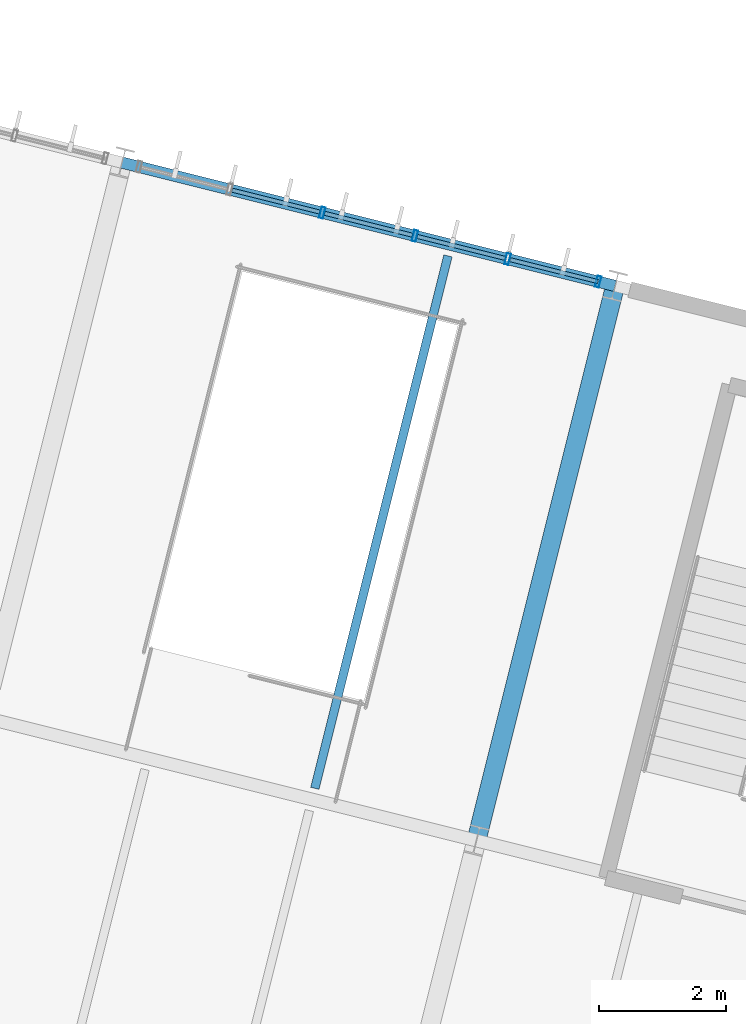
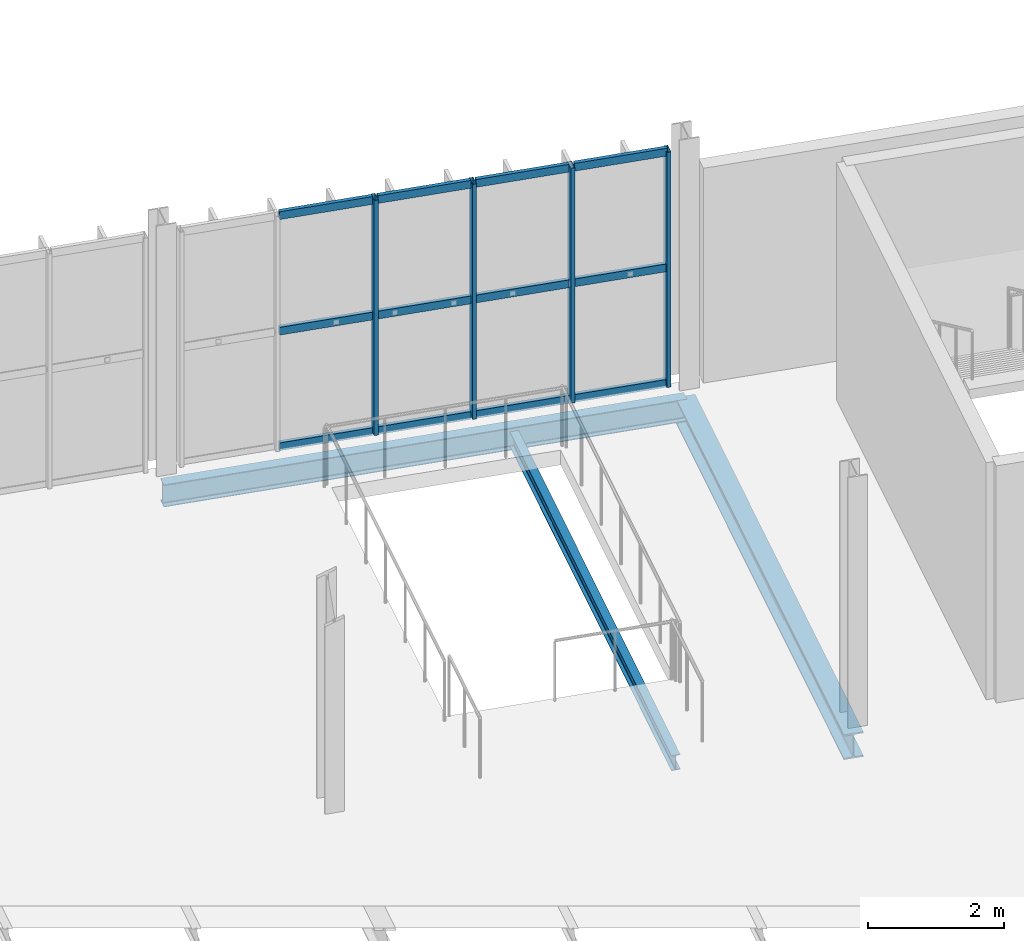
# One storey, part 83 of 152: 16 members, 3 beams, 1 element without a shape of its own.
"""IFC4 building model written with IfcOpenShell, lengths in metres."""

from ifc_helpers import new_model, si_unit, derived_unit, direction, frame, origin, origin_2d, place, context, subcontext, project, spatial, hollow_rectangle, i_section, extrude, material, material_profile, profile_set, type_object, element, aggregate, save


model = new_model("IFC4")

# Units and contexts
model_context = context("Model", 3, precision=1e-05, world=origin(), true_north=direction((0.0, 1.0)))
body_context = subcontext(model_context, "Body", "Model", "MODEL_VIEW")
ifc_project = project(units=[si_unit("LENGTHUNIT", "METRE"), si_unit("AREAUNIT", "SQUARE_METRE"), si_unit("VOLUMEUNIT", "CUBIC_METRE"), si_unit("PLANEANGLEUNIT", "RADIAN"), si_unit("MASSUNIT", "GRAM", prefix="KILO"), si_unit("THERMODYNAMICTEMPERATUREUNIT", "KELVIN"), si_unit("TIMEUNIT", "SECOND"), derived_unit("THERMALTRANSMITTANCEUNIT", [(si_unit("MASSUNIT", "GRAM", prefix="KILO"), 1), (si_unit("THERMODYNAMICTEMPERATUREUNIT", "KELVIN"), -1), (si_unit("TIMEUNIT", "SECOND"), -3)])], contexts=[model_context])

# Site, building, storey
site_placement = place(None, origin())
site = spatial("IfcSite", under=ifc_project, at=site_placement, CompositionType="ELEMENT")
building_placement = place(site_placement, origin())
building = spatial("IfcBuilding", under=site, at=building_placement, Name="Cambertide Market Hall", CompositionType="ELEMENT")
storey_placement = place(building_placement, frame((0.0, 0.0, 5.39990234375)))
storey = spatial("IfcBuildingStorey", under=building, at=storey_placement, Name="L02", CompositionType="ELEMENT", Elevation=5.39990234375)

# Curtain wall, members
ifc_material_1 = material(Name="Marine Anodized Aluminium 6063-T6 AA25", Category="aluminium")
curtain_wall_type = type_object("IfcCurtainWallType", Name="Culinary Teaching Kitchen Curtain Wall", PredefinedType="USERDEFINED", material=ifc_material_1)
curtain_wall_placement = place(storey_placement, origin())
curtain_wall = element("IfcCurtainWall", 1, at=curtain_wall_placement, inside=storey, type_object=curtain_wall_type, Name="Level 2 Curtain Wall CW-V4N-L02-3", ObjectType="UNITIZED CURTAIN WALL", PredefinedType="USERDEFINED")
ifc_material_2 = material(Name="Champagne Marine Anodized Aluminium 6063-T6 AA25", Category="aluminium")
ifc_material_profile_1 = material_profile(ifc_material_2, hollow_rectangle(XDim=0.06494140625, YDim=0.179931640625, WallThickness=0.00390625, at=origin_2d()), Name="ALU MULLION 65x180")
ifc_profile_set_1 = profile_set([ifc_material_profile_1], Name="Champagne Marine Anodized Aluminium 6063-T6 AA25")
member_type_1 = type_object("IfcMemberType", Name="Curtain Wall Mullion ALU MULLION 65x180", PredefinedType="MULLION", material=ifc_profile_set_1)
member_1_placement = place(storey_placement, frame((133.2216796875, 121.525634765625, 0.0), z_axis=(0.0, 0.0, 1.0), x_axis=(0.970142500145, -0.242535625038, 0.0)))
member_1 = element("IfcMember", 2, at=member_1_placement, type_object=member_type_1, Name="CW-V4N-L02-3 Mullion 3", PredefinedType="MULLION", context=body_context, shape_type="SweptSolid", body=[
    extrude(hollow_rectangle(XDim=0.06494140625, YDim=0.179931640625, WallThickness=0.00390625, at=origin_2d()), origin(), (0.0, 0.0, 1.0), 4.22021484375),
])
member_2_placement = place(storey_placement, frame((134.680908203125, 121.16064453125, 0.0), z_axis=(0.0, 0.0, 1.0), x_axis=(0.970142500145, -0.242535625038, 0.0)))
member_2 = element("IfcMember", 3, at=member_2_placement, type_object=member_type_1, Name="CW-V4N-L02-3 Mullion 4", PredefinedType="MULLION", context=body_context, shape_type="SweptSolid", body=[
    extrude(hollow_rectangle(XDim=0.06494140625, YDim=0.179931640625, WallThickness=0.00390625, at=origin_2d()), origin(), (0.0, 0.0, 1.0), 4.22021484375),
])
member_3_placement = place(storey_placement, frame((136.139892578125, 120.7958984375, 0.0), z_axis=(0.0, 0.0, 1.0), x_axis=(0.970142500145, -0.242535625038, 0.0)))
member_3 = element("IfcMember", 4, at=member_3_placement, type_object=member_type_1, Name="CW-V4N-L02-3 Mullion 5", PredefinedType="MULLION", context=body_context, shape_type="SweptSolid", body=[
    extrude(hollow_rectangle(XDim=0.06494140625, YDim=0.179931640625, WallThickness=0.00390625, at=origin_2d()), origin(), (0.0, 0.0, 1.0), 4.22021484375),
])
member_4_placement = place(storey_placement, frame((137.565185546875, 120.439697265625, 0.0), z_axis=(0.0, 0.0, 1.0), x_axis=(0.970142500145, -0.242535625038, 0.0)))
member_4 = element("IfcMember", 5, at=member_4_placement, type_object=member_type_1, Name="CW-V4N-L02-3 Mullion 6", PredefinedType="MULLION", context=body_context, shape_type="SweptSolid", body=[
    extrude(hollow_rectangle(XDim=0.06494140625, YDim=0.179931640625, WallThickness=0.00390625, at=origin_2d()), origin(), (0.0, 0.0, 1.0), 4.22021484375),
])
ifc_material_3 = material(Name="Champagne Marine Anodized Aluminium 6063-T6 AA25", Category="aluminium")
ifc_material_profile_2 = material_profile(ifc_material_3, hollow_rectangle(XDim=0.06494140625, YDim=0.139892578125, WallThickness=0.00341796875, at=origin_2d()), Name="ALU TRANSOM 65x140")
ifc_profile_set_2 = profile_set([ifc_material_profile_2], Name="Champagne Marine Anodized Aluminium 6063-T6 AA25")
member_type_2 = type_object("IfcMemberType", Name="Curtain Wall Transom ALU TRANSOM 65x140", PredefinedType="USERDEFINED", material=ifc_profile_set_2)
member_5_placement = place(storey_placement, frame((131.801513671875, 121.880615234375, 0.03515625), z_axis=(0.970122324991, -0.242616311393, 0.0), x_axis=(0.242616311393, 0.970122324991, 0.0)))
member_5 = element("IfcMember", 6, at=member_5_placement, type_object=member_type_2, Name="CW-V4N-L02-3 Transom 1-2", ObjectType="TRANSOM", PredefinedType="USERDEFINED", context=body_context, shape_type="SweptSolid", body=[
    extrude(hollow_rectangle(XDim=0.06494140625, YDim=0.139892578125, WallThickness=0.00341796875, at=origin_2d()), origin(), (0.0, 0.0, 1.0), 1.423828125),
])
member_6_placement = place(storey_placement, frame((133.260498046875, 121.515869140625, 0.03515625), z_axis=(0.970132415085, -0.242575961715, 0.0), x_axis=(0.242575961715, 0.970132415085, 0.0)))
member_6 = element("IfcMember", 7, at=member_6_placement, type_object=member_type_2, Name="CW-V4N-L02-3 Transom 1-3", ObjectType="TRANSOM", PredefinedType="USERDEFINED", context=body_context, shape_type="SweptSolid", body=[
    extrude(hollow_rectangle(XDim=0.06494140625, YDim=0.139892578125, WallThickness=0.00341796875, at=origin_2d()), origin(), (0.0, 0.0, 1.0), 1.424072265625),
])
member_7_placement = place(storey_placement, frame((134.7197265625, 121.151123046875, 0.03515625), z_axis=(0.970122324991, -0.242616311393, 0.0), x_axis=(0.242616311393, 0.970122324991, 0.0)))
member_7 = element("IfcMember", 8, at=member_7_placement, type_object=member_type_2, Name="CW-V4N-L02-3 Transom 1-4", ObjectType="TRANSOM", PredefinedType="USERDEFINED", context=body_context, shape_type="SweptSolid", body=[
    extrude(hollow_rectangle(XDim=0.06494140625, YDim=0.139892578125, WallThickness=0.00341796875, at=origin_2d()), origin(), (0.0, 0.0, 1.0), 1.423828125),
])
member_8_placement = place(storey_placement, frame((136.1787109375, 120.786376953125, 0.03515625), z_axis=(0.970132415085, -0.242575961715, 0.0), x_axis=(0.242575961715, 0.970132415085, 0.0)))
member_8 = element("IfcMember", 9, at=member_8_placement, type_object=member_type_2, Name="CW-V4N-L02-3 Transom 1-5", ObjectType="TRANSOM", PredefinedType="USERDEFINED", context=body_context, shape_type="SweptSolid", body=[
    extrude(hollow_rectangle(XDim=0.06494140625, YDim=0.139892578125, WallThickness=0.00341796875, at=origin_2d()), origin(), (0.0, 0.0, 1.0), 1.424072265625),
])
member_9_placement = place(storey_placement, frame((131.801513671875, 121.880615234375, 2.110107421875), z_axis=(0.970122324991, -0.242616311393, 0.0), x_axis=(0.242616311393, 0.970122324991, 0.0)))
member_9 = element("IfcMember", 10, at=member_9_placement, type_object=member_type_2, Name="CW-V4N-L02-3 Transom 2-2", ObjectType="TRANSOM", PredefinedType="USERDEFINED", context=body_context, shape_type="SweptSolid", body=[
    extrude(hollow_rectangle(XDim=0.06494140625, YDim=0.139892578125, WallThickness=0.00341796875, at=origin_2d()), origin(), (0.0, 0.0, 1.0), 1.423828125),
])
member_10_placement = place(storey_placement, frame((133.260498046875, 121.515869140625, 2.110107421875), z_axis=(0.970132415085, -0.242575961715, 0.0), x_axis=(0.242575961715, 0.970132415085, 0.0)))
member_10 = element("IfcMember", 11, at=member_10_placement, type_object=member_type_2, Name="CW-V4N-L02-3 Transom 2-3", ObjectType="TRANSOM", PredefinedType="USERDEFINED", context=body_context, shape_type="SweptSolid", body=[
    extrude(hollow_rectangle(XDim=0.06494140625, YDim=0.139892578125, WallThickness=0.00341796875, at=origin_2d()), origin(), (0.0, 0.0, 1.0), 1.424072265625),
])
member_11_placement = place(storey_placement, frame((134.7197265625, 121.151123046875, 2.110107421875), z_axis=(0.970122324991, -0.242616311393, 0.0), x_axis=(0.242616311393, 0.970122324991, 0.0)))
member_11 = element("IfcMember", 12, at=member_11_placement, type_object=member_type_2, Name="CW-V4N-L02-3 Transom 2-4", ObjectType="TRANSOM", PredefinedType="USERDEFINED", context=body_context, shape_type="SweptSolid", body=[
    extrude(hollow_rectangle(XDim=0.06494140625, YDim=0.139892578125, WallThickness=0.00341796875, at=origin_2d()), origin(), (0.0, 0.0, 1.0), 1.423828125),
])
member_12_placement = place(storey_placement, frame((136.1787109375, 120.786376953125, 2.110107421875), z_axis=(0.970132415085, -0.242575961715, 0.0), x_axis=(0.242575961715, 0.970132415085, 0.0)))
member_12 = element("IfcMember", 13, at=member_12_placement, type_object=member_type_2, Name="CW-V4N-L02-3 Transom 2-5", ObjectType="TRANSOM", PredefinedType="USERDEFINED", context=body_context, shape_type="SweptSolid", body=[
    extrude(hollow_rectangle(XDim=0.06494140625, YDim=0.139892578125, WallThickness=0.00341796875, at=origin_2d()), origin(), (0.0, 0.0, 1.0), 1.424072265625),
])
member_13_placement = place(storey_placement, frame((131.801513671875, 121.880615234375, 4.18505859375), z_axis=(0.970122324991, -0.242616311393, 0.0), x_axis=(0.242616311393, 0.970122324991, 0.0)))
member_13 = element("IfcMember", 14, at=member_13_placement, type_object=member_type_2, Name="CW-V4N-L02-3 Transom 3-2", ObjectType="TRANSOM", PredefinedType="USERDEFINED", context=body_context, shape_type="SweptSolid", body=[
    extrude(hollow_rectangle(XDim=0.06494140625, YDim=0.139892578125, WallThickness=0.00341796875, at=origin_2d()), origin(), (0.0, 0.0, 1.0), 1.423828125),
])
member_14_placement = place(storey_placement, frame((133.260498046875, 121.515869140625, 4.18505859375), z_axis=(0.970132415085, -0.242575961715, 0.0), x_axis=(0.242575961715, 0.970132415085, 0.0)))
member_14 = element("IfcMember", 15, at=member_14_placement, type_object=member_type_2, Name="CW-V4N-L02-3 Transom 3-3", ObjectType="TRANSOM", PredefinedType="USERDEFINED", context=body_context, shape_type="SweptSolid", body=[
    extrude(hollow_rectangle(XDim=0.06494140625, YDim=0.139892578125, WallThickness=0.00341796875, at=origin_2d()), origin(), (0.0, 0.0, 1.0), 1.424072265625),
])
member_15_placement = place(storey_placement, frame((134.7197265625, 121.151123046875, 4.18505859375), z_axis=(0.970122324991, -0.242616311393, 0.0), x_axis=(0.242616311393, 0.970122324991, 0.0)))
member_15 = element("IfcMember", 16, at=member_15_placement, type_object=member_type_2, Name="CW-V4N-L02-3 Transom 3-4", ObjectType="TRANSOM", PredefinedType="USERDEFINED", context=body_context, shape_type="SweptSolid", body=[
    extrude(hollow_rectangle(XDim=0.06494140625, YDim=0.139892578125, WallThickness=0.00341796875, at=origin_2d()), origin(), (0.0, 0.0, 1.0), 1.423828125),
])
member_16_placement = place(storey_placement, frame((136.1787109375, 120.786376953125, 4.18505859375), z_axis=(0.970132415085, -0.242575961715, 0.0), x_axis=(0.242575961715, 0.970132415085, 0.0)))
member_16 = element("IfcMember", 17, at=member_16_placement, type_object=member_type_2, Name="CW-V4N-L02-3 Transom 3-5", ObjectType="TRANSOM", PredefinedType="USERDEFINED", context=body_context, shape_type="SweptSolid", body=[
    extrude(hollow_rectangle(XDim=0.06494140625, YDim=0.139892578125, WallThickness=0.00341796875, at=origin_2d()), origin(), (0.0, 0.0, 1.0), 1.424072265625),
])
aggregate(curtain_wall, [member_1, member_2, member_3, member_4, member_5, member_6, member_7, member_8, member_9, member_10, member_11, member_12, member_13, member_14, member_15, member_16])

# Beams
ifc_material_4 = material(Name="Steel S355", Category="steel")
ifc_material_profile_3 = material_profile(ifc_material_4, i_section(OverallWidth=0.179931640625, OverallDepth=0.39990234375, WebThickness=0.008544921875, FlangeThickness=0.013427734375, FilletRadius=0.02099609375, at=origin_2d()), Name="IPE 400")
ifc_profile_set_3 = profile_set([ifc_material_profile_3], Name="Steel S355")
beam_type_1 = type_object("IfcBeamType", Name="Perimeter Spandrel Beam IPE 400", PredefinedType="SPANDREL", material=ifc_profile_set_3)
beam_1_placement = place(storey_placement, frame((130.07080078125, 122.313232421875, -0.46484375), z_axis=(0.970144295309, -0.242528444268, 0.0), x_axis=(0.242528444268, 0.970144295309, 0.0)))
element("IfcBeam", 18, at=beam_1_placement, inside=storey, type_object=beam_type_1, Name="Level 2 Spandrel BM-V4U-L02-3-4", PredefinedType="SPANDREL", context=body_context, shape_type="SweptSolid", body=[
    extrude(i_section(OverallWidth=0.179931640625, OverallDepth=0.39990234375, WebThickness=0.008544921875, FlangeThickness=0.013427734375, FilletRadius=0.02099609375, at=origin_2d()), origin(), (0.0, 0.0, 1.0), 7.999755859375),
])
ifc_material_5 = material(Name="Steel S355", Category="steel")
ifc_material_profile_4 = material_profile(ifc_material_5, i_section(OverallWidth=0.300048828125, OverallDepth=0.449951171875, WebThickness=0.013916015625, FlangeThickness=0.02587890625, FilletRadius=0.027099609375, at=origin_2d()), Name="HEB 450")
ifc_profile_set_4 = profile_set([ifc_material_profile_4], Name="Steel S355")
beam_type_2 = type_object("IfcBeamType", Name="Steel Girder HEB 450", PredefinedType="BEAM", material=ifc_profile_set_4)
beam_2_placement = place(storey_placement, frame((135.649169921875, 111.6416015625, -0.489990234375), z_axis=(0.242510094215, 0.970148882494, 0.0), x_axis=(-0.970148882494, 0.242510094215, 0.0)))
element("IfcBeam", 19, at=beam_2_placement, inside=storey, type_object=beam_type_2, Name="Level 2 Beam BM-V4V-L02-4-3", PredefinedType="BEAM", context=body_context, shape_type="SweptSolid", body=[
    extrude(i_section(OverallWidth=0.300048828125, OverallDepth=0.449951171875, WebThickness=0.013916015625, FlangeThickness=0.02587890625, FilletRadius=0.027099609375, at=origin_2d()), origin(), (0.0, 0.0, 1.0), 9.0),
])
ifc_material_6 = material(Name="Steel S275", Category="steel")
ifc_material_profile_5 = material_profile(ifc_material_6, i_section(OverallWidth=0.135009765625, OverallDepth=0.27001953125, WebThickness=0.006591796875, FlangeThickness=0.01025390625, FilletRadius=0.014892578125, at=origin_2d()), Name="IPE 270")
ifc_profile_set_5 = profile_set([ifc_material_profile_5], Name="Steel S275")
beam_type_3 = type_object("IfcBeamType", Name="Steel Secondary Joist IPE 270", PredefinedType="JOIST", material=ifc_profile_set_5)
beam_3_placement = place(storey_placement, frame((133.105712890625, 112.463134765625, -0.39990234375), z_axis=(0.242528976348, 0.970144162293, 0.0), x_axis=(-0.970144162293, 0.242528976348, 0.0)))
element("IfcBeam", 20, at=beam_3_placement, inside=storey, type_object=beam_type_3, Name="Level 2 Joist JS-V4-L02-3-3-2", PredefinedType="JOIST", context=body_context, shape_type="SweptSolid", body=[
    extrude(i_section(OverallWidth=0.135009765625, OverallDepth=0.27001953125, WebThickness=0.006591796875, FlangeThickness=0.01025390625, FilletRadius=0.014892578125, at=origin_2d()), origin(), (0.0, 0.0, 1.0), 8.64013671875),
])

save(model, "model.ifc")
